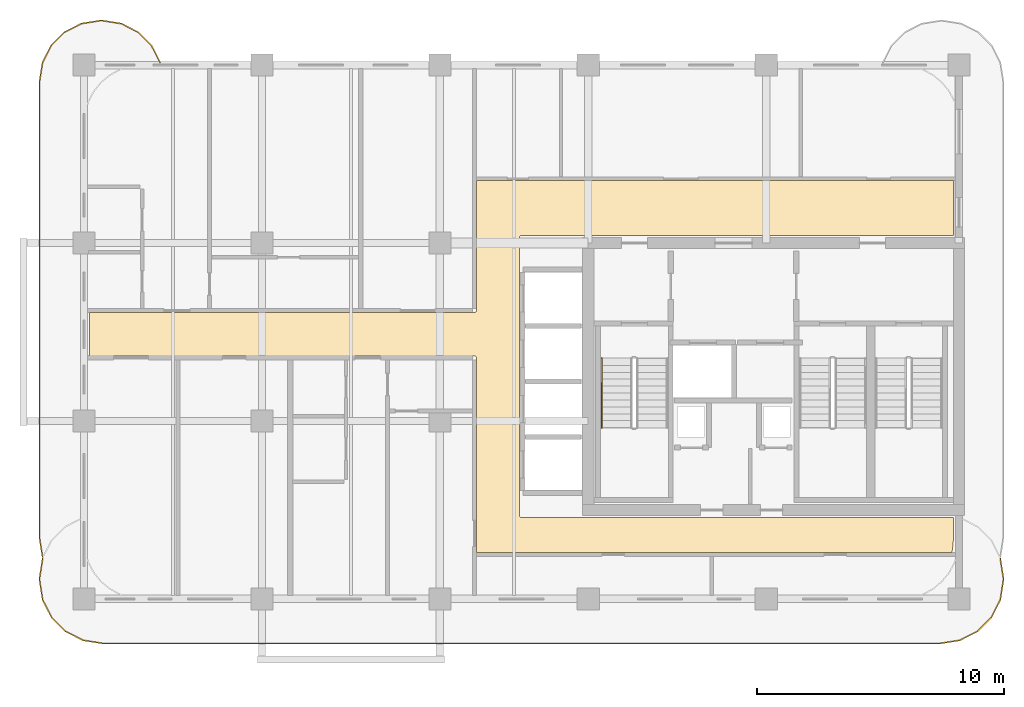
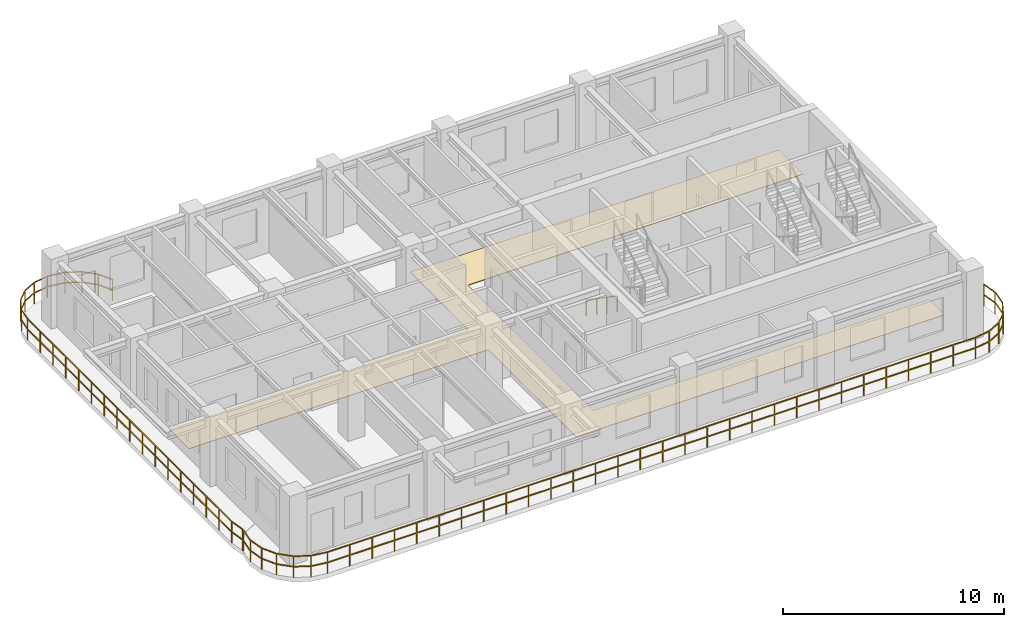
# One storey, part 7 of 8: 3 railings, 1 covering.
"""IFC4 building model written with IfcOpenShell, lengths in metres."""

from ifc_helpers import new_model, si_unit, derived_unit, direction, frame, origin, origin_2d, place, context, subcontext, project, spatial, polyline, rectangle, outline, extrude, material, layer, layer_set, type_object, element, save


model = new_model("IFC4")

# Units and contexts
model_context = context("Model", 3, precision=1e-05, world=origin(), true_north=direction((0.0, 1.0)))
body_context = subcontext(model_context, "Body", "Model", "MODEL_VIEW")
ifc_project = project(units=[si_unit("LENGTHUNIT", "METRE"), si_unit("AREAUNIT", "SQUARE_METRE"), si_unit("VOLUMEUNIT", "CUBIC_METRE"), si_unit("PLANEANGLEUNIT", "RADIAN"), si_unit("MASSUNIT", "GRAM", prefix="KILO"), si_unit("THERMODYNAMICTEMPERATUREUNIT", "KELVIN"), si_unit("POWERUNIT", "WATT"), derived_unit("THERMALTRANSMITTANCEUNIT", [(si_unit("POWERUNIT", "WATT"), 1), (si_unit("AREAUNIT", "SQUARE_METRE"), -1), (si_unit("THERMODYNAMICTEMPERATUREUNIT", "KELVIN"), -1)])], contexts=[model_context])

# Site, building, storey
site_placement = place(None, origin())
site = spatial("IfcSite", under=ifc_project, at=site_placement, CompositionType="ELEMENT")
building_placement = place(site_placement, origin())
building = spatial("IfcBuilding", under=site, at=building_placement, Name="Zahravan Archway Hotel and Residences", CompositionType="ELEMENT")
storey_placement = place(building_placement, frame((0.0, 0.0, 228.85009765625)))
storey = spatial("IfcBuildingStorey", under=building, at=storey_placement, Name="L57", CompositionType="ELEMENT", Elevation=228.85009765625)

# Covering
ifc_material_1 = material(Name="Engineered Walnut Parquet Flooring")
ifc_layer = layer(ifc_material_1, 0.02197265625, Name="Engineered Walnut Parquet Flooring")
ifc_layer_set = layer_set([ifc_layer], Name="Engineered Walnut Parquet Flooring")
covering_type = type_object("IfcCoveringType", Name="COV-FLR-TIMB", PredefinedType="FLOORING", material=ifc_layer_set)
covering_placement = place(storey_placement, origin())
element("IfcCovering", 1, at=covering_placement, inside=storey, type_object=covering_type, Name="L57 Circulation Floor Finish", PredefinedType="FLOORING", context=body_context, shape_type="SweptSolid", body=[
    extrude(outline(polyline([(30.215576171875, 11.591552734375), (30.256591796875, 11.61328125), (30.278564453125, 11.654296875), (30.280029296875, 16.919921875), (49.580078125, 16.919921875), (49.580078125, 14.705078125), (32.10009765625, 14.705078125), (32.0556640625, 14.69140625), (32.026123046875, 14.655517578125), (32.02001953125, 3.375), (32.033447265625, 3.33056640625), (32.0693359375, 3.301025390625), (49.580078125, 3.294921875), (49.580078125, 2.410888671875), (49.537109375, 1.974853515625), (49.50830078125, 1.8798828125), (30.280029296875, 1.8798828125), (30.280029296875, 9.75), (30.2666015625, 9.79443359375), (30.230712890625, 9.823974609375), (14.6201171875, 9.830078125), (14.6201171875, 11.590087890625), (30.199951171875, 11.590087890625), (30.215576171875, 11.591552734375)])), origin(), (0.0, 0.0, 1.0), 0.02197265625),
])

# Railings
ifc_material_2 = material(Name="Bronze & Laminated Glass Balustrade", Category="glass")
railing_type_1 = type_object("IfcRailingType", Name="RL-BAL-1200", PredefinedType="BALUSTRADE", material=ifc_material_2)
railing_1_placement = place(storey_placement, frame((51.47509765625, 1.637939453125, 0.0)))
element("IfcRailing", 2, at=railing_1_placement, inside=storey, type_object=railing_type_1, Name="L57 Balustrade RL-SLB-BAL-L57-SA-1", PredefinedType="BALUSTRADE", context=body_context, shape_type="SweptSolid", body=[
    extrude(rectangle(XDim=0.048095703125, YDim=0.048095703125, at=origin_2d()), frame((0.0, 0.0, 1.17578125), z_axis=(0.156701202656, -0.987646056584, 0.0), x_axis=(0.987646056584, 0.156701202656, 0.0)), (0.0, 0.0, 1.0), 0.797607421875),
    extrude(rectangle(XDim=0.048095703125, YDim=0.048095703125, at=origin_2d()), frame((0.0, 0.0, 0.60009765625), z_axis=(0.156701202656, -0.987646056584, 0.0), x_axis=(0.987646056584, 0.156701202656, 0.0)), (0.0, 0.0, 1.0), 0.797607421875),
    extrude(rectangle(XDim=0.048095703125, YDim=0.048095703125, at=origin_2d()), frame((0.125, -0.787841796875, 1.17578125), z_axis=(0.0, -1.0, 0.0), x_axis=(1.0, 0.0, 0.0)), (0.0, 0.0, 1.0), 0.10009765625),
    extrude(rectangle(XDim=0.048095703125, YDim=0.048095703125, at=origin_2d()), frame((0.125, -0.787841796875, 0.60009765625), z_axis=(0.0, -1.0, 0.0), x_axis=(1.0, 0.0, 0.0)), (0.0, 0.0, 1.0), 0.10009765625),
    extrude(rectangle(XDim=0.048095703125, YDim=0.048095703125, at=origin_2d()), frame((0.125, -0.887939453125, 1.17578125), z_axis=(-0.156653849773, -0.98765356849, 0.0), x_axis=(0.98765356849, -0.156653849773, 0.0)), (0.0, 0.0, 1.0), 0.7978515625),
    extrude(rectangle(XDim=0.048095703125, YDim=0.048095703125, at=origin_2d()), frame((0.125, -0.887939453125, 0.60009765625), z_axis=(-0.156653849773, -0.98765356849, 0.0), x_axis=(0.98765356849, -0.156653849773, 0.0)), (0.0, 0.0, 1.0), 0.7978515625),
    extrude(rectangle(XDim=0.048095703125, YDim=0.048095703125, at=origin_2d()), frame((0.0, -1.676025390625, 1.17578125), z_axis=(-0.453934952053, -0.891034824967, 0.0), x_axis=(0.891034824967, -0.453934952053, 0.0)), (0.0, 0.0, 1.0), 0.797607421875),
    extrude(rectangle(XDim=0.048095703125, YDim=0.048095703125, at=origin_2d()), frame((0.0, -1.676025390625, 0.60009765625), z_axis=(-0.453934952053, -0.891034824967, 0.0), x_axis=(0.891034824967, -0.453934952053, 0.0)), (0.0, 0.0, 1.0), 0.797607421875),
    extrude(rectangle(XDim=0.048095703125, YDim=0.048095703125, at=origin_2d()), frame((-0.362060546875, -2.38671875, 1.17578125), z_axis=(-0.707106781187, -0.707106781187, 0.0), x_axis=(0.707106781187, -0.707106781187, 0.0)), (0.0, 0.0, 1.0), 0.7978515625),
    extrude(rectangle(XDim=0.048095703125, YDim=0.048095703125, at=origin_2d()), frame((-0.362060546875, -2.38671875, 0.60009765625), z_axis=(-0.707106781187, -0.707106781187, 0.0), x_axis=(0.707106781187, -0.707106781187, 0.0)), (0.0, 0.0, 1.0), 0.7978515625),
    extrude(rectangle(XDim=0.048095703125, YDim=0.048095703125, at=origin_2d()), frame((-0.92626953125, -2.950927734375, 1.17578125), z_axis=(-0.890974108706, -0.454054113091, 0.0), x_axis=(0.454054113091, -0.890974108706, 0.0)), (0.0, 0.0, 1.0), 0.7978515625),
    extrude(rectangle(XDim=0.048095703125, YDim=0.048095703125, at=origin_2d()), frame((-0.92626953125, -2.950927734375, 0.60009765625), z_axis=(-0.890974108706, -0.454054113091, 0.0), x_axis=(0.454054113091, -0.890974108706, 0.0)), (0.0, 0.0, 1.0), 0.7978515625),
    extrude(rectangle(XDim=0.048095703125, YDim=0.048095703125, at=origin_2d()), frame((-1.63720703125, -3.313232421875, 1.17578125), z_axis=(-0.987693380745, -0.156402639467, 0.0), x_axis=(0.156402639467, -0.987693380745, 0.0)), (0.0, 0.0, 1.0), 0.797607421875),
    extrude(rectangle(XDim=0.048095703125, YDim=0.048095703125, at=origin_2d()), frame((-1.63720703125, -3.313232421875, 0.60009765625), z_axis=(-0.987693380745, -0.156402639467, 0.0), x_axis=(0.156402639467, -0.987693380745, 0.0)), (0.0, 0.0, 1.0), 0.797607421875),
    extrude(rectangle(XDim=0.048095703125, YDim=0.048095703125, at=origin_2d()), frame((-2.425048828125, -3.43798828125, 1.17578125), z_axis=(-1.0, 0.0, 0.0), x_axis=(0.0, -1.0, 0.0)), (0.0, 0.0, 1.0), 33.900146484375),
    extrude(rectangle(XDim=0.048095703125, YDim=0.048095703125, at=origin_2d()), frame((-2.425048828125, -3.43798828125, 0.60009765625), z_axis=(-1.0, 0.0, 0.0), x_axis=(0.0, -1.0, 0.0)), (0.0, 0.0, 1.0), 33.900146484375),
    extrude(rectangle(XDim=0.048095703125, YDim=0.048095703125, at=origin_2d()), frame((-36.3251953125, -3.43798828125, 1.17578125), z_axis=(-0.987693380745, 0.156402639467, 0.0), x_axis=(-0.156402639467, -0.987693380745, 0.0)), (0.0, 0.0, 1.0), 0.797607421875),
    extrude(rectangle(XDim=0.048095703125, YDim=0.048095703125, at=origin_2d()), frame((-36.3251953125, -3.43798828125, 0.60009765625), z_axis=(-0.987693380745, 0.156402639467, 0.0), x_axis=(-0.156402639467, -0.987693380745, 0.0)), (0.0, 0.0, 1.0), 0.797607421875),
    extrude(rectangle(XDim=0.048095703125, YDim=0.048095703125, at=origin_2d()), frame((-37.113037109375, -3.313232421875, 1.17578125), z_axis=(-0.890974108706, 0.454054113091, 0.0), x_axis=(-0.454054113091, -0.890974108706, 0.0)), (0.0, 0.0, 1.0), 0.7978515625),
    extrude(rectangle(XDim=0.048095703125, YDim=0.048095703125, at=origin_2d()), frame((-37.113037109375, -3.313232421875, 0.60009765625), z_axis=(-0.890974108706, 0.454054113091, 0.0), x_axis=(-0.454054113091, -0.890974108706, 0.0)), (0.0, 0.0, 1.0), 0.7978515625),
    extrude(rectangle(XDim=0.048095703125, YDim=0.048095703125, at=origin_2d()), frame((-37.823974609375, -2.950927734375, 1.17578125), z_axis=(-0.707106781187, 0.707106781187, 0.0), x_axis=(-0.707106781187, -0.707106781187, 0.0)), (0.0, 0.0, 1.0), 0.7978515625),
    extrude(rectangle(XDim=0.048095703125, YDim=0.048095703125, at=origin_2d()), frame((-37.823974609375, -2.950927734375, 0.60009765625), z_axis=(-0.707106781187, 0.707106781187, 0.0), x_axis=(-0.707106781187, -0.707106781187, 0.0)), (0.0, 0.0, 1.0), 0.7978515625),
    extrude(rectangle(XDim=0.048095703125, YDim=0.048095703125, at=origin_2d()), frame((-38.38818359375, -2.38671875, 1.17578125), z_axis=(-0.453934952053, 0.891034824967, 0.0), x_axis=(-0.891034824967, -0.453934952053, 0.0)), (0.0, 0.0, 1.0), 0.797607421875),
    extrude(rectangle(XDim=0.048095703125, YDim=0.048095703125, at=origin_2d()), frame((-38.38818359375, -2.38671875, 0.60009765625), z_axis=(-0.453934952053, 0.891034824967, 0.0), x_axis=(-0.891034824967, -0.453934952053, 0.0)), (0.0, 0.0, 1.0), 0.797607421875),
    extrude(rectangle(XDim=0.048095703125, YDim=0.048095703125, at=origin_2d()), frame((-38.750244140625, -1.676025390625, 1.17578125), z_axis=(-0.156355372278, 0.987700864412, 0.0), x_axis=(-0.987700864412, -0.156355372278, 0.0)), (0.0, 0.0, 1.0), 0.7978515625),
    extrude(rectangle(XDim=0.048095703125, YDim=0.048095703125, at=origin_2d()), frame((-38.750244140625, -1.676025390625, 0.60009765625), z_axis=(-0.156355372278, 0.987700864412, 0.0), x_axis=(-0.987700864412, -0.156355372278, 0.0)), (0.0, 0.0, 1.0), 0.7978515625),
    extrude(rectangle(XDim=0.048095703125, YDim=0.048095703125, at=origin_2d()), frame((-38.875, -0.887939453125, 1.17578125), z_axis=(0.0, 1.0, 0.0), x_axis=(-1.0, 0.0, 0.0)), (0.0, 0.0, 1.0), 0.10009765625),
    extrude(rectangle(XDim=0.048095703125, YDim=0.048095703125, at=origin_2d()), frame((-38.875, -0.887939453125, 0.60009765625), z_axis=(0.0, 1.0, 0.0), x_axis=(-1.0, 0.0, 0.0)), (0.0, 0.0, 1.0), 0.10009765625),
    extrude(rectangle(XDim=0.048095703125, YDim=0.048095703125, at=origin_2d()), frame((-38.875, -0.787841796875, 1.17578125), z_axis=(0.156402639467, 0.987693380745, 0.0), x_axis=(-0.987693380745, 0.156402639467, 0.0)), (0.0, 0.0, 1.0), 0.797607421875),
    extrude(rectangle(XDim=0.048095703125, YDim=0.048095703125, at=origin_2d()), frame((-38.875, -0.787841796875, 0.60009765625), z_axis=(0.156402639467, 0.987693380745, 0.0), x_axis=(-0.987693380745, 0.156402639467, 0.0)), (0.0, 0.0, 1.0), 0.797607421875),
    extrude(rectangle(XDim=0.0419921875, YDim=0.0419921875, at=origin_2d()), origin(), (0.0, 0.0, 1.0), 1.15185546875),
    extrude(rectangle(XDim=0.0419921875, YDim=0.0419921875, at=origin_2d()), frame((0.125, -0.787841796875, 0.0)), (0.0, 0.0, 1.0), 1.15185546875),
    extrude(rectangle(XDim=0.0419921875, YDim=0.0419921875, at=origin_2d()), frame((0.0, -1.676025390625, 0.0)), (0.0, 0.0, 1.0), 1.15185546875),
    extrude(rectangle(XDim=0.0419921875, YDim=0.0419921875, at=origin_2d()), frame((-0.362060546875, -2.38671875, 0.0)), (0.0, 0.0, 1.0), 1.15185546875),
    extrude(rectangle(XDim=0.0419921875, YDim=0.0419921875, at=origin_2d()), frame((-0.92626953125, -2.950927734375, 0.0)), (0.0, 0.0, 1.0), 1.15185546875),
    extrude(rectangle(XDim=0.0419921875, YDim=0.0419921875, at=origin_2d()), frame((-1.63720703125, -3.313232421875, 0.0)), (0.0, 0.0, 1.0), 1.15185546875),
    extrude(rectangle(XDim=0.0419921875, YDim=0.0419921875, at=origin_2d()), frame((-2.425048828125, -3.43798828125, 0.0)), (0.0, 0.0, 1.0), 1.15185546875),
    extrude(rectangle(XDim=0.0419921875, YDim=0.0419921875, at=origin_2d()), frame((-3.593994140625, -3.43798828125, 0.0)), (0.0, 0.0, 1.0), 1.15185546875),
    extrude(rectangle(XDim=0.0419921875, YDim=0.0419921875, at=origin_2d()), frame((-4.762939453125, -3.43798828125, 0.0)), (0.0, 0.0, 1.0), 1.15185546875),
    extrude(rectangle(XDim=0.0419921875, YDim=0.0419921875, at=origin_2d()), frame((-5.931884765625, -3.43798828125, 0.0)), (0.0, 0.0, 1.0), 1.15185546875),
    extrude(rectangle(XDim=0.0419921875, YDim=0.0419921875, at=origin_2d()), frame((-7.100830078125, -3.43798828125, 0.0)), (0.0, 0.0, 1.0), 1.15185546875),
    extrude(rectangle(XDim=0.0419921875, YDim=0.0419921875, at=origin_2d()), frame((-8.27001953125, -3.43798828125, 0.0)), (0.0, 0.0, 1.0), 1.15185546875),
    extrude(rectangle(XDim=0.0419921875, YDim=0.0419921875, at=origin_2d()), frame((-9.43896484375, -3.43798828125, 0.0)), (0.0, 0.0, 1.0), 1.15185546875),
    extrude(rectangle(XDim=0.0419921875, YDim=0.0419921875, at=origin_2d()), frame((-10.60791015625, -3.43798828125, 0.0)), (0.0, 0.0, 1.0), 1.15185546875),
    extrude(rectangle(XDim=0.0419921875, YDim=0.0419921875, at=origin_2d()), frame((-11.77685546875, -3.43798828125, 0.0)), (0.0, 0.0, 1.0), 1.15185546875),
    extrude(rectangle(XDim=0.0419921875, YDim=0.0419921875, at=origin_2d()), frame((-12.94580078125, -3.43798828125, 0.0)), (0.0, 0.0, 1.0), 1.15185546875),
    extrude(rectangle(XDim=0.0419921875, YDim=0.0419921875, at=origin_2d()), frame((-14.11474609375, -3.43798828125, 0.0)), (0.0, 0.0, 1.0), 1.15185546875),
    extrude(rectangle(XDim=0.0419921875, YDim=0.0419921875, at=origin_2d()), frame((-15.28369140625, -3.43798828125, 0.0)), (0.0, 0.0, 1.0), 1.15185546875),
    extrude(rectangle(XDim=0.0419921875, YDim=0.0419921875, at=origin_2d()), frame((-16.45263671875, -3.43798828125, 0.0)), (0.0, 0.0, 1.0), 1.15185546875),
    extrude(rectangle(XDim=0.0419921875, YDim=0.0419921875, at=origin_2d()), frame((-17.62158203125, -3.43798828125, 0.0)), (0.0, 0.0, 1.0), 1.15185546875),
    extrude(rectangle(XDim=0.0419921875, YDim=0.0419921875, at=origin_2d()), frame((-18.79052734375, -3.43798828125, 0.0)), (0.0, 0.0, 1.0), 1.15185546875),
    extrude(rectangle(XDim=0.0419921875, YDim=0.0419921875, at=origin_2d()), frame((-19.959716796875, -3.43798828125, 0.0)), (0.0, 0.0, 1.0), 1.15185546875),
    extrude(rectangle(XDim=0.0419921875, YDim=0.0419921875, at=origin_2d()), frame((-21.128662109375, -3.43798828125, 0.0)), (0.0, 0.0, 1.0), 1.15185546875),
    extrude(rectangle(XDim=0.0419921875, YDim=0.0419921875, at=origin_2d()), frame((-22.297607421875, -3.43798828125, 0.0)), (0.0, 0.0, 1.0), 1.15185546875),
    extrude(rectangle(XDim=0.0419921875, YDim=0.0419921875, at=origin_2d()), frame((-23.466552734375, -3.43798828125, 0.0)), (0.0, 0.0, 1.0), 1.15185546875),
    extrude(rectangle(XDim=0.0419921875, YDim=0.0419921875, at=origin_2d()), frame((-24.635498046875, -3.43798828125, 0.0)), (0.0, 0.0, 1.0), 1.15185546875),
    extrude(rectangle(XDim=0.0419921875, YDim=0.0419921875, at=origin_2d()), frame((-25.804443359375, -3.43798828125, 0.0)), (0.0, 0.0, 1.0), 1.15185546875),
    extrude(rectangle(XDim=0.0419921875, YDim=0.0419921875, at=origin_2d()), frame((-26.973388671875, -3.43798828125, 0.0)), (0.0, 0.0, 1.0), 1.15185546875),
    extrude(rectangle(XDim=0.0419921875, YDim=0.0419921875, at=origin_2d()), frame((-28.142333984375, -3.43798828125, 0.0)), (0.0, 0.0, 1.0), 1.15185546875),
    extrude(rectangle(XDim=0.0419921875, YDim=0.0419921875, at=origin_2d()), frame((-29.311279296875, -3.43798828125, 0.0)), (0.0, 0.0, 1.0), 1.15185546875),
    extrude(rectangle(XDim=0.0419921875, YDim=0.0419921875, at=origin_2d()), frame((-30.480224609375, -3.43798828125, 0.0)), (0.0, 0.0, 1.0), 1.15185546875),
    extrude(rectangle(XDim=0.0419921875, YDim=0.0419921875, at=origin_2d()), frame((-31.6494140625, -3.43798828125, 0.0)), (0.0, 0.0, 1.0), 1.15185546875),
    extrude(rectangle(XDim=0.0419921875, YDim=0.0419921875, at=origin_2d()), frame((-32.818359375, -3.43798828125, 0.0)), (0.0, 0.0, 1.0), 1.15185546875),
    extrude(rectangle(XDim=0.0419921875, YDim=0.0419921875, at=origin_2d()), frame((-33.9873046875, -3.43798828125, 0.0)), (0.0, 0.0, 1.0), 1.15185546875),
    extrude(rectangle(XDim=0.0419921875, YDim=0.0419921875, at=origin_2d()), frame((-35.15625, -3.43798828125, 0.0)), (0.0, 0.0, 1.0), 1.15185546875),
    extrude(rectangle(XDim=0.0419921875, YDim=0.0419921875, at=origin_2d()), frame((-36.3251953125, -3.43798828125, 0.0)), (0.0, 0.0, 1.0), 1.15185546875),
    extrude(rectangle(XDim=0.0419921875, YDim=0.0419921875, at=origin_2d()), frame((-37.113037109375, -3.313232421875, 0.0)), (0.0, 0.0, 1.0), 1.15185546875),
    extrude(rectangle(XDim=0.0419921875, YDim=0.0419921875, at=origin_2d()), frame((-37.823974609375, -2.950927734375, 0.0)), (0.0, 0.0, 1.0), 1.15185546875),
    extrude(rectangle(XDim=0.0419921875, YDim=0.0419921875, at=origin_2d()), frame((-38.38818359375, -2.38671875, 0.0)), (0.0, 0.0, 1.0), 1.15185546875),
    extrude(rectangle(XDim=0.0419921875, YDim=0.0419921875, at=origin_2d()), frame((-38.750244140625, -1.676025390625, 0.0)), (0.0, 0.0, 1.0), 1.15185546875),
    extrude(rectangle(XDim=0.0419921875, YDim=0.0419921875, at=origin_2d()), frame((-38.875, -0.887939453125, 0.0)), (0.0, 0.0, 1.0), 1.15185546875),
    extrude(rectangle(XDim=0.0419921875, YDim=0.0419921875, at=origin_2d()), frame((-38.750244140625, 0.0, 0.0)), (0.0, 0.0, 1.0), 1.15185546875),
])
railing_2_placement = place(storey_placement, frame((12.719970703125, 1.69287109375, 0.0)))
element("IfcRailing", 3, at=railing_2_placement, inside=storey, type_object=railing_type_1, Name="L57 Balustrade RL-SLB-BAL-L57-WA-1", PredefinedType="BALUSTRADE", context=body_context, shape_type="SweptSolid", body=[
    extrude(rectangle(XDim=0.048095703125, YDim=0.048095703125, at=origin_2d()), frame((0.0, 0.0, 1.17578125), z_axis=(-0.156387811283, 0.987695728695, 0.0), x_axis=(-0.987695728695, -0.156387811283, 0.0)), (0.0, 0.0, 1.0), 0.7666015625),
    extrude(rectangle(XDim=0.048095703125, YDim=0.048095703125, at=origin_2d()), frame((0.0, 0.0, 0.60009765625), z_axis=(-0.156387811283, 0.987695728695, 0.0), x_axis=(-0.987695728695, -0.156387811283, 0.0)), (0.0, 0.0, 1.0), 0.7666015625),
    extrude(rectangle(XDim=0.048095703125, YDim=0.048095703125, at=origin_2d()), frame((-0.119873046875, 0.757080078125, 1.17578125), z_axis=(0.0, 1.0, 0.0), x_axis=(-1.0, 0.0, 0.0)), (0.0, 0.0, 1.0), 18.5),
    extrude(rectangle(XDim=0.048095703125, YDim=0.048095703125, at=origin_2d()), frame((-0.119873046875, 0.757080078125, 0.60009765625), z_axis=(0.0, 1.0, 0.0), x_axis=(-1.0, 0.0, 0.0)), (0.0, 0.0, 1.0), 18.5),
    extrude(rectangle(XDim=0.048095703125, YDim=0.048095703125, at=origin_2d()), frame((-0.119873046875, 19.257080078125, 1.17578125), z_axis=(0.156387811283, 0.987695728695, 0.0), x_axis=(-0.987695728695, 0.156387811283, 0.0)), (0.0, 0.0, 1.0), 0.7666015625),
    extrude(rectangle(XDim=0.048095703125, YDim=0.048095703125, at=origin_2d()), frame((-0.119873046875, 19.257080078125, 0.60009765625), z_axis=(0.156387811283, 0.987695728695, 0.0), x_axis=(-0.987695728695, 0.156387811283, 0.0)), (0.0, 0.0, 1.0), 0.7666015625),
    extrude(rectangle(XDim=0.048095703125, YDim=0.048095703125, at=origin_2d()), frame((0.0, 20.01416015625, 1.17578125), z_axis=(0.453825591531, 0.891090529897, 0.0), x_axis=(-0.891090529897, 0.453825591531, 0.0)), (0.0, 0.0, 1.0), 0.7666015625),
    extrude(rectangle(XDim=0.048095703125, YDim=0.048095703125, at=origin_2d()), frame((0.0, 20.01416015625, 0.60009765625), z_axis=(0.453825591531, 0.891090529897, 0.0), x_axis=(-0.891090529897, 0.453825591531, 0.0)), (0.0, 0.0, 1.0), 0.7666015625),
    extrude(rectangle(XDim=0.048095703125, YDim=0.048095703125, at=origin_2d()), frame((0.347900390625, 20.697265625, 1.17578125), z_axis=(0.707106781187, 0.707106781187, 0.0), x_axis=(-0.707106781187, 0.707106781187, 0.0)), (0.0, 0.0, 1.0), 0.7666015625),
    extrude(rectangle(XDim=0.048095703125, YDim=0.048095703125, at=origin_2d()), frame((0.347900390625, 20.697265625, 0.60009765625), z_axis=(0.707106781187, 0.707106781187, 0.0), x_axis=(-0.707106781187, 0.707106781187, 0.0)), (0.0, 0.0, 1.0), 0.7666015625),
    extrude(rectangle(XDim=0.048095703125, YDim=0.048095703125, at=origin_2d()), frame((0.889892578125, 21.2392578125, 1.17578125), z_axis=(0.891090529897, 0.453825591531, 0.0), x_axis=(-0.453825591531, 0.891090529897, 0.0)), (0.0, 0.0, 1.0), 0.7666015625),
    extrude(rectangle(XDim=0.048095703125, YDim=0.048095703125, at=origin_2d()), frame((0.889892578125, 21.2392578125, 0.60009765625), z_axis=(0.891090529897, 0.453825591531, 0.0), x_axis=(-0.453825591531, 0.891090529897, 0.0)), (0.0, 0.0, 1.0), 0.7666015625),
    extrude(rectangle(XDim=0.048095703125, YDim=0.048095703125, at=origin_2d()), frame((1.572998046875, 21.587158203125, 1.17578125), z_axis=(0.987695728695, 0.156387811283, 0.0), x_axis=(-0.156387811283, 0.987695728695, 0.0)), (0.0, 0.0, 1.0), 0.7666015625),
    extrude(rectangle(XDim=0.048095703125, YDim=0.048095703125, at=origin_2d()), frame((1.572998046875, 21.587158203125, 0.60009765625), z_axis=(0.987695728695, 0.156387811283, 0.0), x_axis=(-0.156387811283, 0.987695728695, 0.0)), (0.0, 0.0, 1.0), 0.7666015625),
    extrude(rectangle(XDim=0.048095703125, YDim=0.048095703125, at=origin_2d()), frame((2.330078125, 21.70703125, 1.17578125), z_axis=(1.0, 0.0, 0.0), x_axis=(0.0, 1.0, 0.0)), (0.0, 0.0, 1.0), 0.099853515625),
    extrude(rectangle(XDim=0.048095703125, YDim=0.048095703125, at=origin_2d()), frame((2.330078125, 21.70703125, 0.60009765625), z_axis=(1.0, 0.0, 0.0), x_axis=(0.0, 1.0, 0.0)), (0.0, 0.0, 1.0), 0.099853515625),
    extrude(rectangle(XDim=0.048095703125, YDim=0.048095703125, at=origin_2d()), frame((2.429931640625, 21.70703125, 1.17578125), z_axis=(0.987695728695, -0.156387811283, 0.0), x_axis=(0.156387811283, 0.987695728695, 0.0)), (0.0, 0.0, 1.0), 0.7666015625),
    extrude(rectangle(XDim=0.048095703125, YDim=0.048095703125, at=origin_2d()), frame((2.429931640625, 21.70703125, 0.60009765625), z_axis=(0.987695728695, -0.156387811283, 0.0), x_axis=(0.156387811283, 0.987695728695, 0.0)), (0.0, 0.0, 1.0), 0.7666015625),
    extrude(rectangle(XDim=0.048095703125, YDim=0.048095703125, at=origin_2d()), frame((3.18701171875, 21.587158203125, 1.17578125), z_axis=(0.891090529897, -0.453825591531, 0.0), x_axis=(0.453825591531, 0.891090529897, 0.0)), (0.0, 0.0, 1.0), 0.7666015625),
    extrude(rectangle(XDim=0.048095703125, YDim=0.048095703125, at=origin_2d()), frame((3.18701171875, 21.587158203125, 0.60009765625), z_axis=(0.891090529897, -0.453825591531, 0.0), x_axis=(0.453825591531, 0.891090529897, 0.0)), (0.0, 0.0, 1.0), 0.7666015625),
    extrude(rectangle(XDim=0.048095703125, YDim=0.048095703125, at=origin_2d()), frame((3.8701171875, 21.2392578125, 1.17578125), z_axis=(0.707106781187, -0.707106781187, 0.0), x_axis=(0.707106781187, 0.707106781187, 0.0)), (0.0, 0.0, 1.0), 0.7666015625),
    extrude(rectangle(XDim=0.048095703125, YDim=0.048095703125, at=origin_2d()), frame((3.8701171875, 21.2392578125, 0.60009765625), z_axis=(0.707106781187, -0.707106781187, 0.0), x_axis=(0.707106781187, 0.707106781187, 0.0)), (0.0, 0.0, 1.0), 0.7666015625),
    extrude(rectangle(XDim=0.048095703125, YDim=0.048095703125, at=origin_2d()), frame((4.412109375, 20.697265625, 1.17578125), z_axis=(0.453825591531, -0.891090529897, 0.0), x_axis=(0.891090529897, 0.453825591531, 0.0)), (0.0, 0.0, 1.0), 0.7666015625),
    extrude(rectangle(XDim=0.048095703125, YDim=0.048095703125, at=origin_2d()), frame((4.412109375, 20.697265625, 0.60009765625), z_axis=(0.453825591531, -0.891090529897, 0.0), x_axis=(0.891090529897, 0.453825591531, 0.0)), (0.0, 0.0, 1.0), 0.7666015625),
    extrude(rectangle(XDim=0.0419921875, YDim=0.0419921875, at=origin_2d()), origin(), (0.0, 0.0, 1.0), 1.15185546875),
    extrude(rectangle(XDim=0.0419921875, YDim=0.0419921875, at=origin_2d()), frame((-0.119873046875, 0.757080078125, 0.0)), (0.0, 0.0, 1.0), 1.15185546875),
    extrude(rectangle(XDim=0.0419921875, YDim=0.0419921875, at=origin_2d()), frame((-0.119873046875, 1.913330078125, 0.0)), (0.0, 0.0, 1.0), 1.15185546875),
    extrude(rectangle(XDim=0.0419921875, YDim=0.0419921875, at=origin_2d()), frame((-0.119873046875, 3.069580078125, 0.0)), (0.0, 0.0, 1.0), 1.15185546875),
    extrude(rectangle(XDim=0.0419921875, YDim=0.0419921875, at=origin_2d()), frame((-0.119873046875, 4.225830078125, 0.0)), (0.0, 0.0, 1.0), 1.15185546875),
    extrude(rectangle(XDim=0.0419921875, YDim=0.0419921875, at=origin_2d()), frame((-0.119873046875, 5.382080078125, 0.0)), (0.0, 0.0, 1.0), 1.15185546875),
    extrude(rectangle(XDim=0.0419921875, YDim=0.0419921875, at=origin_2d()), frame((-0.119873046875, 6.538330078125, 0.0)), (0.0, 0.0, 1.0), 1.15185546875),
    extrude(rectangle(XDim=0.0419921875, YDim=0.0419921875, at=origin_2d()), frame((-0.119873046875, 7.694580078125, 0.0)), (0.0, 0.0, 1.0), 1.15185546875),
    extrude(rectangle(XDim=0.0419921875, YDim=0.0419921875, at=origin_2d()), frame((-0.119873046875, 8.850830078125, 0.0)), (0.0, 0.0, 1.0), 1.15185546875),
    extrude(rectangle(XDim=0.0419921875, YDim=0.0419921875, at=origin_2d()), frame((-0.119873046875, 10.007080078125, 0.0)), (0.0, 0.0, 1.0), 1.15185546875),
    extrude(rectangle(XDim=0.0419921875, YDim=0.0419921875, at=origin_2d()), frame((-0.119873046875, 11.163330078125, 0.0)), (0.0, 0.0, 1.0), 1.15185546875),
    extrude(rectangle(XDim=0.0419921875, YDim=0.0419921875, at=origin_2d()), frame((-0.119873046875, 12.319580078125, 0.0)), (0.0, 0.0, 1.0), 1.15185546875),
    extrude(rectangle(XDim=0.0419921875, YDim=0.0419921875, at=origin_2d()), frame((-0.119873046875, 13.475830078125, 0.0)), (0.0, 0.0, 1.0), 1.15185546875),
    extrude(rectangle(XDim=0.0419921875, YDim=0.0419921875, at=origin_2d()), frame((-0.119873046875, 14.632080078125, 0.0)), (0.0, 0.0, 1.0), 1.15185546875),
    extrude(rectangle(XDim=0.0419921875, YDim=0.0419921875, at=origin_2d()), frame((-0.119873046875, 15.788330078125, 0.0)), (0.0, 0.0, 1.0), 1.15185546875),
    extrude(rectangle(XDim=0.0419921875, YDim=0.0419921875, at=origin_2d()), frame((-0.119873046875, 16.944580078125, 0.0)), (0.0, 0.0, 1.0), 1.15185546875),
    extrude(rectangle(XDim=0.0419921875, YDim=0.0419921875, at=origin_2d()), frame((-0.119873046875, 18.100830078125, 0.0)), (0.0, 0.0, 1.0), 1.15185546875),
    extrude(rectangle(XDim=0.0419921875, YDim=0.0419921875, at=origin_2d()), frame((-0.119873046875, 19.257080078125, 0.0)), (0.0, 0.0, 1.0), 1.15185546875),
    extrude(rectangle(XDim=0.0419921875, YDim=0.0419921875, at=origin_2d()), frame((0.0, 20.01416015625, 0.0)), (0.0, 0.0, 1.0), 1.15185546875),
    extrude(rectangle(XDim=0.0419921875, YDim=0.0419921875, at=origin_2d()), frame((0.347900390625, 20.697265625, 0.0)), (0.0, 0.0, 1.0), 1.15185546875),
    extrude(rectangle(XDim=0.0419921875, YDim=0.0419921875, at=origin_2d()), frame((0.889892578125, 21.2392578125, 0.0)), (0.0, 0.0, 1.0), 1.15185546875),
    extrude(rectangle(XDim=0.0419921875, YDim=0.0419921875, at=origin_2d()), frame((1.572998046875, 21.587158203125, 0.0)), (0.0, 0.0, 1.0), 1.15185546875),
    extrude(rectangle(XDim=0.0419921875, YDim=0.0419921875, at=origin_2d()), frame((2.330078125, 21.70703125, 0.0)), (0.0, 0.0, 1.0), 1.15185546875),
    extrude(rectangle(XDim=0.0419921875, YDim=0.0419921875, at=origin_2d()), frame((3.18701171875, 21.587158203125, 0.0)), (0.0, 0.0, 1.0), 1.15185546875),
    extrude(rectangle(XDim=0.0419921875, YDim=0.0419921875, at=origin_2d()), frame((3.8701171875, 21.2392578125, 0.0)), (0.0, 0.0, 1.0), 1.15185546875),
    extrude(rectangle(XDim=0.0419921875, YDim=0.0419921875, at=origin_2d()), frame((4.412109375, 20.697265625, 0.0)), (0.0, 0.0, 1.0), 1.15185546875),
    extrude(rectangle(XDim=0.0419921875, YDim=0.0419921875, at=origin_2d()), frame((4.760009765625, 20.01416015625, 0.0)), (0.0, 0.0, 1.0), 1.15185546875),
])
ifc_material_3 = material(Name="Brushed Stainless Steel", Category="steel")
railing_type_2 = type_object("IfcRailingType", Name="RL-STH-900", PredefinedType="HANDRAIL", material=ifc_material_3)
railing_3_placement = place(storey_placement, frame((35.35009765625, 9.72998046875, 0.1748046875)))
element("IfcRailing", 4, at=railing_3_placement, inside=storey, type_object=railing_type_2, Name="L57 ST-A1 stair handrail 1", PredefinedType="HANDRAIL", context=body_context, shape_type="SweptSolid", body=[
    extrude(rectangle(XDim=0.048095703125, YDim=0.048095703125, at=origin_2d()), frame((0.0, 0.0, 0.8759765625), z_axis=(0.0, -0.824039827795, 0.566531872191), x_axis=(1.0, 0.0, 0.0)), (0.0, 0.0, 1.0), 3.39794921875),
    extrude(rectangle(XDim=0.0419921875, YDim=0.0419921875, at=origin_2d()), origin(), (0.0, 0.0, 1.0), 0.851806640625),
    extrude(rectangle(XDim=0.0419921875, YDim=0.0419921875, at=origin_2d()), frame((0.0, -0.933349609375, 0.6416015625)), (0.0, 0.0, 1.0), 0.851806640625),
    extrude(rectangle(XDim=0.0419921875, YDim=0.0419921875, at=origin_2d()), frame((0.0, -1.86669921875, 1.283447265625)), (0.0, 0.0, 1.0), 0.851806640625),
    extrude(rectangle(XDim=0.0419921875, YDim=0.0419921875, at=origin_2d()), frame((0.0, -2.800048828125, 1.925048828125)), (0.0, 0.0, 1.0), 0.851806640625),
])

save(model, "model.ifc")
